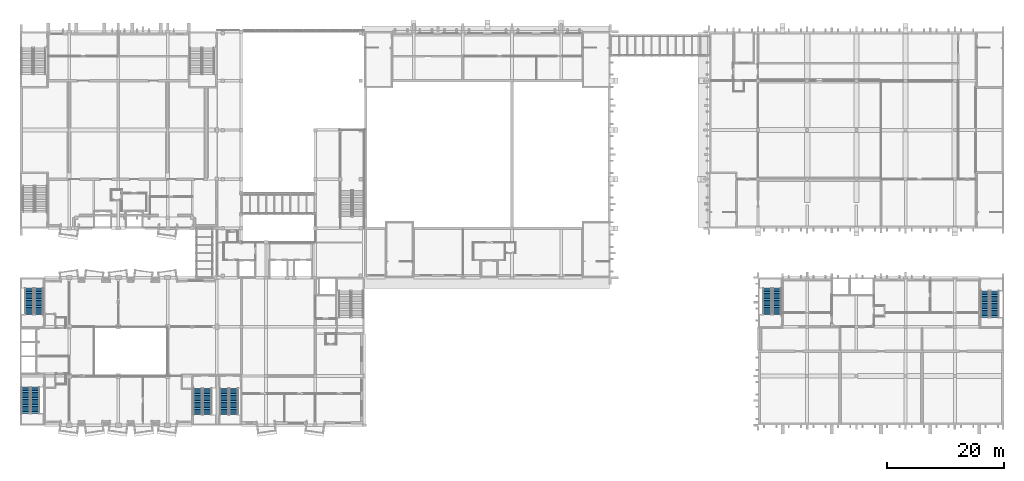
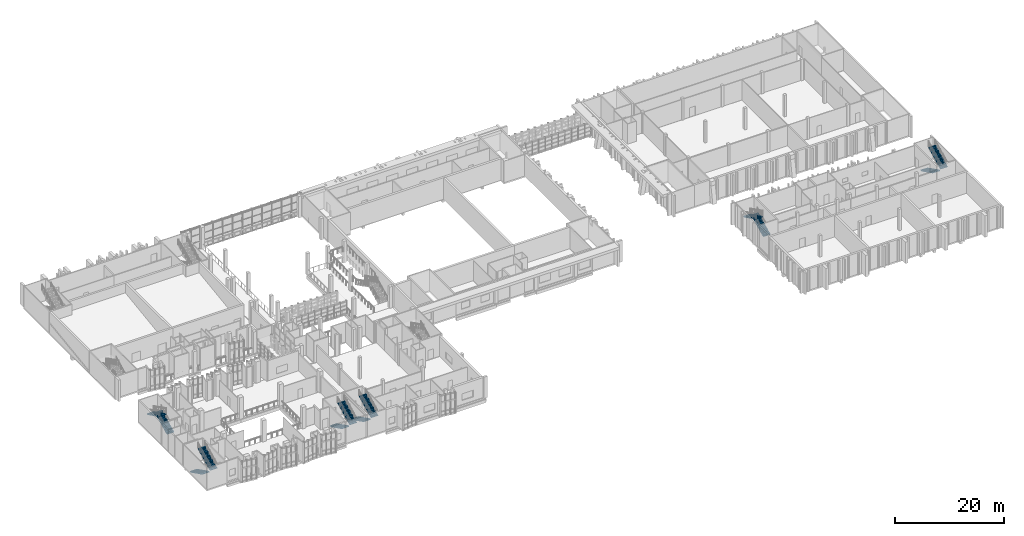
# One storey, part 55 of 86: 12 stair flights, 6 elements without a shape of their own.
"""IFC4 building model written with IfcOpenShell, lengths in metres."""

from ifc_helpers import new_model, si_unit, direction, frame, origin, place, context, subcontext, project, spatial, polyline, outline, extrude, material, type_object, element, aggregate, save


model = new_model("IFC4")

# Units and contexts
model_context = context("Model", 3, precision=1e-05, world=origin(), true_north=direction((0.0, 1.0)))
body_context = subcontext(model_context, "Body", "Model", "MODEL_VIEW")
ifc_project = project(units=[si_unit("LENGTHUNIT", "METRE"), si_unit("AREAUNIT", "SQUARE_METRE"), si_unit("VOLUMEUNIT", "CUBIC_METRE"), si_unit("PLANEANGLEUNIT", "RADIAN"), si_unit("MASSUNIT", "GRAM", prefix="KILO")], contexts=[model_context])

# Site, building, storey
site_placement = place(None, origin())
site = spatial("IfcSite", under=ifc_project, at=site_placement, CompositionType="ELEMENT")
building_placement = place(site_placement, origin())
building = spatial("IfcBuilding", under=site, at=building_placement, Name="Kiln Court Media Centre", CompositionType="ELEMENT")
storey_placement = place(building_placement, frame((0.0, 0.0, 10.199951171875)))
storey = spatial("IfcBuildingStorey", under=building, at=storey_placement, Name="L02", CompositionType="ELEMENT", Elevation=10.199951171875)

# Stair, stair flights
ifc_material_1 = material(Name="Concrete C40/50", Category="concrete")
stair_type = type_object("IfcStairType", Name="Concrete C40/50 dog-leg stair 1500 wide, 150 riser", PredefinedType="HALF_TURN_STAIR", material=ifc_material_1)
stair_1_placement = place(storey_placement, origin())
stair_1 = element("IfcStair", 1, at=stair_1_placement, inside=storey, type_object=stair_type, Name="ST-01 L02", PredefinedType="HALF_TURN_STAIR")
ifc_material_2 = material(Name="Concrete C40/50", Category="concrete")
stair_flight_type = type_object("IfcStairFlightType", Name="Concrete C40/50 stair flight 1500 wide, 150 riser, 300 going", PredefinedType="STRAIGHT", material=ifc_material_2)
stair_flight_1_placement = place(storey_placement, frame((0.949951171875, 6.5, 0.0), z_axis=(0.0, 0.0, 1.0), x_axis=(0.0, -1.0, 0.0)))
stair_flight_1 = element("IfcStairFlight", 2, at=stair_flight_1_placement, type_object=stair_flight_type, Name="L02-ST-5000 flight 5000", NumberOfRisers=16, NumberOfTreads=15, PredefinedType="STRAIGHT", RiserHeight=0.15, TreadLength=0.3, context=body_context, shape_type="SweptSolid", body=[
    extrude(outline(polyline([(0.0, 0.0), (0.0, 0.14990234375), (0.300048828125, 0.14990234375), (0.300048828125, 0.300048828125), (0.60009765625, 0.300048828125), (0.60009765625, 0.449951171875), (0.89990234375, 0.449951171875), (0.89990234375, 0.60009765625), (1.199951171875, 0.60009765625), (1.199951171875, 0.75), (1.5, 0.75), (1.5, 0.89990234375), (1.800048828125, 0.89990234375), (1.800048828125, 1.050048828125), (2.10009765625, 1.050048828125), (2.10009765625, 1.199951171875), (2.39990234375, 1.199951171875), (2.39990234375, 1.35009765625), (2.699951171875, 1.35009765625), (2.699951171875, 1.5), (3.0, 1.5), (3.0, 1.64990234375), (3.300048828125, 1.64990234375), (3.300048828125, 1.800048828125), (3.60009765625, 1.800048828125), (3.60009765625, 1.949951171875), (3.89990234375, 1.949951171875), (3.89990234375, 2.10009765625), (4.199951171875, 2.10009765625), (4.199951171875, 2.25), (4.5, 2.25), (4.5, 2.39990234375), (4.5, 2.08251953125), (0.335205078125, 0.0), (0.0, 0.0)])), frame((0.0, 0.75, 0.0), z_axis=(0.0, -1.0, 0.0), x_axis=(1.0, 0.0, 0.0)), (0.0, 0.0, 1.0), 1.5),
])
stair_flight_2_placement = place(storey_placement, frame((2.60009765625, 2.0, 2.400146484375), z_axis=(0.0, 0.0, 1.0), x_axis=(0.0, 1.0, 0.0)))
stair_flight_2 = element("IfcStairFlight", 3, at=stair_flight_2_placement, type_object=stair_flight_type, Name="L02-ST-5000 flight 5001", NumberOfRisers=16, NumberOfTreads=15, PredefinedType="STRAIGHT", RiserHeight=0.15, TreadLength=0.3, context=body_context, shape_type="SweptSolid", body=[
    extrude(outline(polyline([(0.0, 0.0), (0.0, 0.14990234375), (0.300048828125, 0.14990234375), (0.300048828125, 0.300048828125), (0.60009765625, 0.300048828125), (0.60009765625, 0.449951171875), (0.89990234375, 0.449951171875), (0.89990234375, 0.60009765625), (1.199951171875, 0.60009765625), (1.199951171875, 0.75), (1.5, 0.75), (1.5, 0.89990234375), (1.800048828125, 0.89990234375), (1.800048828125, 1.050048828125), (2.10009765625, 1.050048828125), (2.10009765625, 1.199951171875), (2.39990234375, 1.199951171875), (2.39990234375, 1.35009765625), (2.699951171875, 1.35009765625), (2.699951171875, 1.5), (3.0, 1.5), (3.0, 1.64990234375), (3.300048828125, 1.64990234375), (3.300048828125, 1.800048828125), (3.60009765625, 1.800048828125), (3.60009765625, 1.949951171875), (3.89990234375, 1.949951171875), (3.89990234375, 2.10009765625), (4.199951171875, 2.10009765625), (4.199951171875, 2.25), (4.5, 2.25), (4.5, 2.39990234375), (4.5, 2.08251953125), (0.335205078125, 0.0), (0.0, 0.0)])), frame((0.0, 0.75, 0.0), z_axis=(0.0, -1.0, 0.0), x_axis=(1.0, 0.0, 0.0)), (0.0, 0.0, 1.0), 1.5),
])
aggregate(stair_1, [stair_flight_1, stair_flight_2])

stair_2_placement = place(storey_placement, origin())
stair_2 = element("IfcStair", 4, at=stair_2_placement, inside=storey, type_object=stair_type, Name="ST-02 L02", PredefinedType="HALF_TURN_STAIR")
stair_flight_3_placement = place(storey_placement, frame((3.25, 18.89990234375, 0.0), z_axis=(0.0, 0.0, 1.0), x_axis=(0.0, 1.0, 0.0)))
stair_flight_3 = element("IfcStairFlight", 5, at=stair_flight_3_placement, type_object=stair_flight_type, Name="L02-ST-5001 flight 5002", NumberOfRisers=16, NumberOfTreads=15, PredefinedType="STRAIGHT", RiserHeight=0.15, TreadLength=0.3, context=body_context, shape_type="SweptSolid", body=[
    extrude(outline(polyline([(0.0, 0.0), (0.0, 0.14990234375), (0.300048828125, 0.14990234375), (0.300048828125, 0.300048828125), (0.60009765625, 0.300048828125), (0.60009765625, 0.449951171875), (0.89990234375, 0.449951171875), (0.89990234375, 0.60009765625), (1.199951171875, 0.60009765625), (1.199951171875, 0.75), (1.5, 0.75), (1.5, 0.89990234375), (1.800048828125, 0.89990234375), (1.800048828125, 1.050048828125), (2.10009765625, 1.050048828125), (2.10009765625, 1.199951171875), (2.39990234375, 1.199951171875), (2.39990234375, 1.35009765625), (2.699951171875, 1.35009765625), (2.699951171875, 1.5), (3.0, 1.5), (3.0, 1.64990234375), (3.300048828125, 1.64990234375), (3.300048828125, 1.800048828125), (3.60009765625, 1.800048828125), (3.60009765625, 1.949951171875), (3.89990234375, 1.949951171875), (3.89990234375, 2.10009765625), (4.199951171875, 2.10009765625), (4.199951171875, 2.25), (4.5, 2.25), (4.5, 2.39990234375), (4.5, 2.08251953125), (0.335205078125, 0.0), (0.0, 0.0)])), frame((0.0, 0.75, 0.0), z_axis=(0.0, -1.0, 0.0), x_axis=(1.0, 0.0, 0.0)), (0.0, 0.0, 1.0), 1.5),
])
stair_flight_4_placement = place(storey_placement, frame((1.60009765625, 23.39990234375, 2.400146484375), z_axis=(0.0, 0.0, 1.0), x_axis=(0.0, -1.0, 0.0)))
stair_flight_4 = element("IfcStairFlight", 6, at=stair_flight_4_placement, type_object=stair_flight_type, Name="L02-ST-5001 flight 5003", NumberOfRisers=16, NumberOfTreads=15, PredefinedType="STRAIGHT", RiserHeight=0.15, TreadLength=0.3, context=body_context, shape_type="SweptSolid", body=[
    extrude(outline(polyline([(0.0, 0.0), (0.0, 0.14990234375), (0.300048828125, 0.14990234375), (0.300048828125, 0.300048828125), (0.60009765625, 0.300048828125), (0.60009765625, 0.449951171875), (0.89990234375, 0.449951171875), (0.89990234375, 0.60009765625), (1.199951171875, 0.60009765625), (1.199951171875, 0.75), (1.5, 0.75), (1.5, 0.89990234375), (1.800048828125, 0.89990234375), (1.800048828125, 1.050048828125), (2.10009765625, 1.050048828125), (2.10009765625, 1.199951171875), (2.39990234375, 1.199951171875), (2.39990234375, 1.35009765625), (2.699951171875, 1.35009765625), (2.699951171875, 1.5), (3.0, 1.5), (3.0, 1.64990234375), (3.300048828125, 1.64990234375), (3.300048828125, 1.800048828125), (3.60009765625, 1.800048828125), (3.60009765625, 1.949951171875), (3.89990234375, 1.949951171875), (3.89990234375, 2.10009765625), (4.199951171875, 2.10009765625), (4.199951171875, 2.25), (4.5, 2.25), (4.5, 2.39990234375), (4.5, 2.08251953125), (0.335205078125, 0.0), (0.0, 0.0)])), frame((0.0, 0.75, 0.0), z_axis=(0.0, -1.0, 0.0), x_axis=(1.0, 0.0, 0.0)), (0.0, 0.0, 1.0), 1.5),
])
aggregate(stair_2, [stair_flight_3, stair_flight_4])

stair_3_placement = place(storey_placement, origin())
stair_3 = element("IfcStair", 7, at=stair_3_placement, inside=storey, type_object=stair_type, Name="ST-03 L02", PredefinedType="HALF_TURN_STAIR")
stair_flight_5_placement = place(storey_placement, frame((30.35009765625, 6.300048828125, 0.0), z_axis=(0.0, 0.0, 1.0), x_axis=(0.0, -1.0, 0.0)))
stair_flight_5 = element("IfcStairFlight", 8, at=stair_flight_5_placement, type_object=stair_flight_type, Name="L02-ST-5002 flight 5004", NumberOfRisers=16, NumberOfTreads=15, PredefinedType="STRAIGHT", RiserHeight=0.15, TreadLength=0.3, context=body_context, shape_type="SweptSolid", body=[
    extrude(outline(polyline([(0.0, 0.0), (0.0, 0.14990234375), (0.300048828125, 0.14990234375), (0.300048828125, 0.300048828125), (0.60009765625, 0.300048828125), (0.60009765625, 0.449951171875), (0.89990234375, 0.449951171875), (0.89990234375, 0.60009765625), (1.199951171875, 0.60009765625), (1.199951171875, 0.75), (1.5, 0.75), (1.5, 0.89990234375), (1.800048828125, 0.89990234375), (1.800048828125, 1.050048828125), (2.10009765625, 1.050048828125), (2.10009765625, 1.199951171875), (2.39990234375, 1.199951171875), (2.39990234375, 1.35009765625), (2.699951171875, 1.35009765625), (2.699951171875, 1.5), (3.0, 1.5), (3.0, 1.64990234375), (3.300048828125, 1.64990234375), (3.300048828125, 1.800048828125), (3.60009765625, 1.800048828125), (3.60009765625, 1.949951171875), (3.89990234375, 1.949951171875), (3.89990234375, 2.10009765625), (4.199951171875, 2.10009765625), (4.199951171875, 2.25), (4.5, 2.25), (4.5, 2.39990234375), (4.5, 2.08251953125), (0.335205078125, 0.0), (0.0, 0.0)])), frame((0.0, 0.75, 0.0), z_axis=(0.0, -1.0, 0.0), x_axis=(1.0, 0.0, 0.0)), (0.0, 0.0, 1.0), 1.5),
])
stair_flight_6_placement = place(storey_placement, frame((32.0, 1.800048828125, 2.400146484375), z_axis=(0.0, 0.0, 1.0), x_axis=(0.0, 1.0, 0.0)))
stair_flight_6 = element("IfcStairFlight", 9, at=stair_flight_6_placement, type_object=stair_flight_type, Name="L02-ST-5002 flight 5005", NumberOfRisers=16, NumberOfTreads=15, PredefinedType="STRAIGHT", RiserHeight=0.15, TreadLength=0.3, context=body_context, shape_type="SweptSolid", body=[
    extrude(outline(polyline([(0.0, 0.0), (0.0, 0.14990234375), (0.300048828125, 0.14990234375), (0.300048828125, 0.300048828125), (0.60009765625, 0.300048828125), (0.60009765625, 0.449951171875), (0.89990234375, 0.449951171875), (0.89990234375, 0.60009765625), (1.199951171875, 0.60009765625), (1.199951171875, 0.75), (1.5, 0.75), (1.5, 0.89990234375), (1.800048828125, 0.89990234375), (1.800048828125, 1.050048828125), (2.10009765625, 1.050048828125), (2.10009765625, 1.199951171875), (2.39990234375, 1.199951171875), (2.39990234375, 1.35009765625), (2.699951171875, 1.35009765625), (2.699951171875, 1.5), (3.0, 1.5), (3.0, 1.64990234375), (3.300048828125, 1.64990234375), (3.300048828125, 1.800048828125), (3.60009765625, 1.800048828125), (3.60009765625, 1.949951171875), (3.89990234375, 1.949951171875), (3.89990234375, 2.10009765625), (4.199951171875, 2.10009765625), (4.199951171875, 2.25), (4.5, 2.25), (4.5, 2.39990234375), (4.5, 2.08251953125), (0.335205078125, 0.0), (0.0, 0.0)])), frame((0.0, 0.75, 0.0), z_axis=(0.0, -1.0, 0.0), x_axis=(1.0, 0.0, 0.0)), (0.0, 0.0, 1.0), 1.5),
])
aggregate(stair_3, [stair_flight_5, stair_flight_6])

stair_4_placement = place(storey_placement, origin())
stair_4 = element("IfcStair", 10, at=stair_4_placement, inside=storey, type_object=stair_type, Name="ST-04 L02", PredefinedType="HALF_TURN_STAIR")
stair_flight_7_placement = place(storey_placement, frame((34.85009765625, 6.300048828125, 0.0), z_axis=(0.0, 0.0, 1.0), x_axis=(0.0, -1.0, 0.0)))
stair_flight_7 = element("IfcStairFlight", 11, at=stair_flight_7_placement, type_object=stair_flight_type, Name="L02-ST-5003 flight 5006", NumberOfRisers=16, NumberOfTreads=15, PredefinedType="STRAIGHT", RiserHeight=0.15, TreadLength=0.3, context=body_context, shape_type="SweptSolid", body=[
    extrude(outline(polyline([(0.0, 0.0), (0.0, 0.14990234375), (0.300048828125, 0.14990234375), (0.300048828125, 0.300048828125), (0.60009765625, 0.300048828125), (0.60009765625, 0.449951171875), (0.89990234375, 0.449951171875), (0.89990234375, 0.60009765625), (1.199951171875, 0.60009765625), (1.199951171875, 0.75), (1.5, 0.75), (1.5, 0.89990234375), (1.800048828125, 0.89990234375), (1.800048828125, 1.050048828125), (2.10009765625, 1.050048828125), (2.10009765625, 1.199951171875), (2.39990234375, 1.199951171875), (2.39990234375, 1.35009765625), (2.699951171875, 1.35009765625), (2.699951171875, 1.5), (3.0, 1.5), (3.0, 1.64990234375), (3.300048828125, 1.64990234375), (3.300048828125, 1.800048828125), (3.60009765625, 1.800048828125), (3.60009765625, 1.949951171875), (3.89990234375, 1.949951171875), (3.89990234375, 2.10009765625), (4.199951171875, 2.10009765625), (4.199951171875, 2.25), (4.5, 2.25), (4.5, 2.39990234375), (4.5, 2.08251953125), (0.335205078125, 0.0), (0.0, 0.0)])), frame((0.0, 0.75, 0.0), z_axis=(0.0, -1.0, 0.0), x_axis=(1.0, 0.0, 0.0)), (0.0, 0.0, 1.0), 1.5),
])
stair_flight_8_placement = place(storey_placement, frame((36.5, 1.800048828125, 2.400146484375), z_axis=(0.0, 0.0, 1.0), x_axis=(0.0, 1.0, 0.0)))
stair_flight_8 = element("IfcStairFlight", 12, at=stair_flight_8_placement, type_object=stair_flight_type, Name="L02-ST-5003 flight 5007", NumberOfRisers=16, NumberOfTreads=15, PredefinedType="STRAIGHT", RiserHeight=0.15, TreadLength=0.3, context=body_context, shape_type="SweptSolid", body=[
    extrude(outline(polyline([(0.0, 0.0), (0.0, 0.14990234375), (0.300048828125, 0.14990234375), (0.300048828125, 0.300048828125), (0.60009765625, 0.300048828125), (0.60009765625, 0.449951171875), (0.89990234375, 0.449951171875), (0.89990234375, 0.60009765625), (1.199951171875, 0.60009765625), (1.199951171875, 0.75), (1.5, 0.75), (1.5, 0.89990234375), (1.800048828125, 0.89990234375), (1.800048828125, 1.050048828125), (2.10009765625, 1.050048828125), (2.10009765625, 1.199951171875), (2.39990234375, 1.199951171875), (2.39990234375, 1.35009765625), (2.699951171875, 1.35009765625), (2.699951171875, 1.5), (3.0, 1.5), (3.0, 1.64990234375), (3.300048828125, 1.64990234375), (3.300048828125, 1.800048828125), (3.60009765625, 1.800048828125), (3.60009765625, 1.949951171875), (3.89990234375, 1.949951171875), (3.89990234375, 2.10009765625), (4.199951171875, 2.10009765625), (4.199951171875, 2.25), (4.5, 2.25), (4.5, 2.39990234375), (4.5, 2.08251953125), (0.335205078125, 0.0), (0.0, 0.0)])), frame((0.0, 0.75, 0.0), z_axis=(0.0, -1.0, 0.0), x_axis=(1.0, 0.0, 0.0)), (0.0, 0.0, 1.0), 1.5),
])
aggregate(stair_4, [stair_flight_7, stair_flight_8])

stair_5_placement = place(storey_placement, origin())
stair_5 = element("IfcStair", 13, at=stair_5_placement, inside=storey, type_object=stair_type, Name="ST-16 L02", PredefinedType="HALF_TURN_STAIR")
stair_flight_9_placement = place(storey_placement, frame((129.25, 18.89990234375, 0.0), z_axis=(0.0, 0.0, 1.0), x_axis=(0.0, 1.0, 0.0)))
stair_flight_9 = element("IfcStairFlight", 14, at=stair_flight_9_placement, type_object=stair_flight_type, Name="L02-ST-5008 flight 5016", NumberOfRisers=16, NumberOfTreads=15, PredefinedType="STRAIGHT", RiserHeight=0.15, TreadLength=0.3, context=body_context, shape_type="SweptSolid", body=[
    extrude(outline(polyline([(0.0, 0.0), (0.0, 0.14990234375), (0.300048828125, 0.14990234375), (0.300048828125, 0.300048828125), (0.60009765625, 0.300048828125), (0.60009765625, 0.449951171875), (0.89990234375, 0.449951171875), (0.89990234375, 0.60009765625), (1.199951171875, 0.60009765625), (1.199951171875, 0.75), (1.5, 0.75), (1.5, 0.89990234375), (1.800048828125, 0.89990234375), (1.800048828125, 1.050048828125), (2.10009765625, 1.050048828125), (2.10009765625, 1.199951171875), (2.39990234375, 1.199951171875), (2.39990234375, 1.35009765625), (2.699951171875, 1.35009765625), (2.699951171875, 1.5), (3.0, 1.5), (3.0, 1.64990234375), (3.300048828125, 1.64990234375), (3.300048828125, 1.800048828125), (3.60009765625, 1.800048828125), (3.60009765625, 1.949951171875), (3.89990234375, 1.949951171875), (3.89990234375, 2.10009765625), (4.199951171875, 2.10009765625), (4.199951171875, 2.25), (4.5, 2.25), (4.5, 2.39990234375), (4.5, 2.08251953125), (0.335205078125, 0.0), (0.0, 0.0)])), frame((0.0, 0.75, 0.0), z_axis=(0.0, -1.0, 0.0), x_axis=(1.0, 0.0, 0.0)), (0.0, 0.0, 1.0), 1.5),
])
stair_flight_10_placement = place(storey_placement, frame((127.60009765625, 23.39990234375, 2.400146484375), z_axis=(0.0, 0.0, 1.0), x_axis=(0.0, -1.0, 0.0)))
stair_flight_10 = element("IfcStairFlight", 15, at=stair_flight_10_placement, type_object=stair_flight_type, Name="L02-ST-5008 flight 5017", NumberOfRisers=16, NumberOfTreads=15, PredefinedType="STRAIGHT", RiserHeight=0.15, TreadLength=0.3, context=body_context, shape_type="SweptSolid", body=[
    extrude(outline(polyline([(0.0, 0.0), (0.0, 0.14990234375), (0.300048828125, 0.14990234375), (0.300048828125, 0.300048828125), (0.60009765625, 0.300048828125), (0.60009765625, 0.449951171875), (0.89990234375, 0.449951171875), (0.89990234375, 0.60009765625), (1.199951171875, 0.60009765625), (1.199951171875, 0.75), (1.5, 0.75), (1.5, 0.89990234375), (1.800048828125, 0.89990234375), (1.800048828125, 1.050048828125), (2.10009765625, 1.050048828125), (2.10009765625, 1.199951171875), (2.39990234375, 1.199951171875), (2.39990234375, 1.35009765625), (2.699951171875, 1.35009765625), (2.699951171875, 1.5), (3.0, 1.5), (3.0, 1.64990234375), (3.300048828125, 1.64990234375), (3.300048828125, 1.800048828125), (3.60009765625, 1.800048828125), (3.60009765625, 1.949951171875), (3.89990234375, 1.949951171875), (3.89990234375, 2.10009765625), (4.199951171875, 2.10009765625), (4.199951171875, 2.25), (4.5, 2.25), (4.5, 2.39990234375), (4.5, 2.08251953125), (0.335205078125, 0.0), (0.0, 0.0)])), frame((0.0, 0.75, 0.0), z_axis=(0.0, -1.0, 0.0), x_axis=(1.0, 0.0, 0.0)), (0.0, 0.0, 1.0), 1.5),
])
aggregate(stair_5, [stair_flight_9, stair_flight_10])

stair_6_placement = place(storey_placement, origin())
stair_6 = element("IfcStair", 16, at=stair_6_placement, inside=storey, type_object=stair_type, Name="ST-17 L02", PredefinedType="HALF_TURN_STAIR")
stair_flight_11_placement = place(storey_placement, frame((164.75, 22.89990234375, 0.0), z_axis=(0.0, 0.0, 1.0), x_axis=(0.0, -1.0, 0.0)))
stair_flight_11 = element("IfcStairFlight", 17, at=stair_flight_11_placement, type_object=stair_flight_type, Name="L02-ST-5009 flight 5018", NumberOfRisers=16, NumberOfTreads=15, PredefinedType="STRAIGHT", RiserHeight=0.15, TreadLength=0.3, context=body_context, shape_type="SweptSolid", body=[
    extrude(outline(polyline([(0.0, 0.0), (0.0, 0.14990234375), (0.300048828125, 0.14990234375), (0.300048828125, 0.300048828125), (0.60009765625, 0.300048828125), (0.60009765625, 0.449951171875), (0.89990234375, 0.449951171875), (0.89990234375, 0.60009765625), (1.199951171875, 0.60009765625), (1.199951171875, 0.75), (1.5, 0.75), (1.5, 0.89990234375), (1.800048828125, 0.89990234375), (1.800048828125, 1.050048828125), (2.10009765625, 1.050048828125), (2.10009765625, 1.199951171875), (2.39990234375, 1.199951171875), (2.39990234375, 1.35009765625), (2.699951171875, 1.35009765625), (2.699951171875, 1.5), (3.0, 1.5), (3.0, 1.64990234375), (3.300048828125, 1.64990234375), (3.300048828125, 1.800048828125), (3.60009765625, 1.800048828125), (3.60009765625, 1.949951171875), (3.89990234375, 1.949951171875), (3.89990234375, 2.10009765625), (4.199951171875, 2.10009765625), (4.199951171875, 2.25), (4.5, 2.25), (4.5, 2.39990234375), (4.5, 2.08251953125), (0.335205078125, 0.0), (0.0, 0.0)])), frame((0.0, 0.75, 0.0), z_axis=(0.0, -1.0, 0.0), x_axis=(1.0, 0.0, 0.0)), (0.0, 0.0, 1.0), 1.5),
])
stair_flight_12_placement = place(storey_placement, frame((166.39990234375, 18.39990234375, 2.400146484375), z_axis=(0.0, 0.0, 1.0), x_axis=(0.0, 1.0, 0.0)))
stair_flight_12 = element("IfcStairFlight", 18, at=stair_flight_12_placement, type_object=stair_flight_type, Name="L02-ST-5009 flight 5019", NumberOfRisers=16, NumberOfTreads=15, PredefinedType="STRAIGHT", RiserHeight=0.15, TreadLength=0.3, context=body_context, shape_type="SweptSolid", body=[
    extrude(outline(polyline([(0.0, 0.0), (0.0, 0.14990234375), (0.300048828125, 0.14990234375), (0.300048828125, 0.300048828125), (0.60009765625, 0.300048828125), (0.60009765625, 0.449951171875), (0.89990234375, 0.449951171875), (0.89990234375, 0.60009765625), (1.199951171875, 0.60009765625), (1.199951171875, 0.75), (1.5, 0.75), (1.5, 0.89990234375), (1.800048828125, 0.89990234375), (1.800048828125, 1.050048828125), (2.10009765625, 1.050048828125), (2.10009765625, 1.199951171875), (2.39990234375, 1.199951171875), (2.39990234375, 1.35009765625), (2.699951171875, 1.35009765625), (2.699951171875, 1.5), (3.0, 1.5), (3.0, 1.64990234375), (3.300048828125, 1.64990234375), (3.300048828125, 1.800048828125), (3.60009765625, 1.800048828125), (3.60009765625, 1.949951171875), (3.89990234375, 1.949951171875), (3.89990234375, 2.10009765625), (4.199951171875, 2.10009765625), (4.199951171875, 2.25), (4.5, 2.25), (4.5, 2.39990234375), (4.5, 2.08251953125), (0.335205078125, 0.0), (0.0, 0.0)])), frame((0.0, 0.75, 0.0), z_axis=(0.0, -1.0, 0.0), x_axis=(1.0, 0.0, 0.0)), (0.0, 0.0, 1.0), 1.5),
])
aggregate(stair_6, [stair_flight_11, stair_flight_12])

save(model, "model.ifc")
